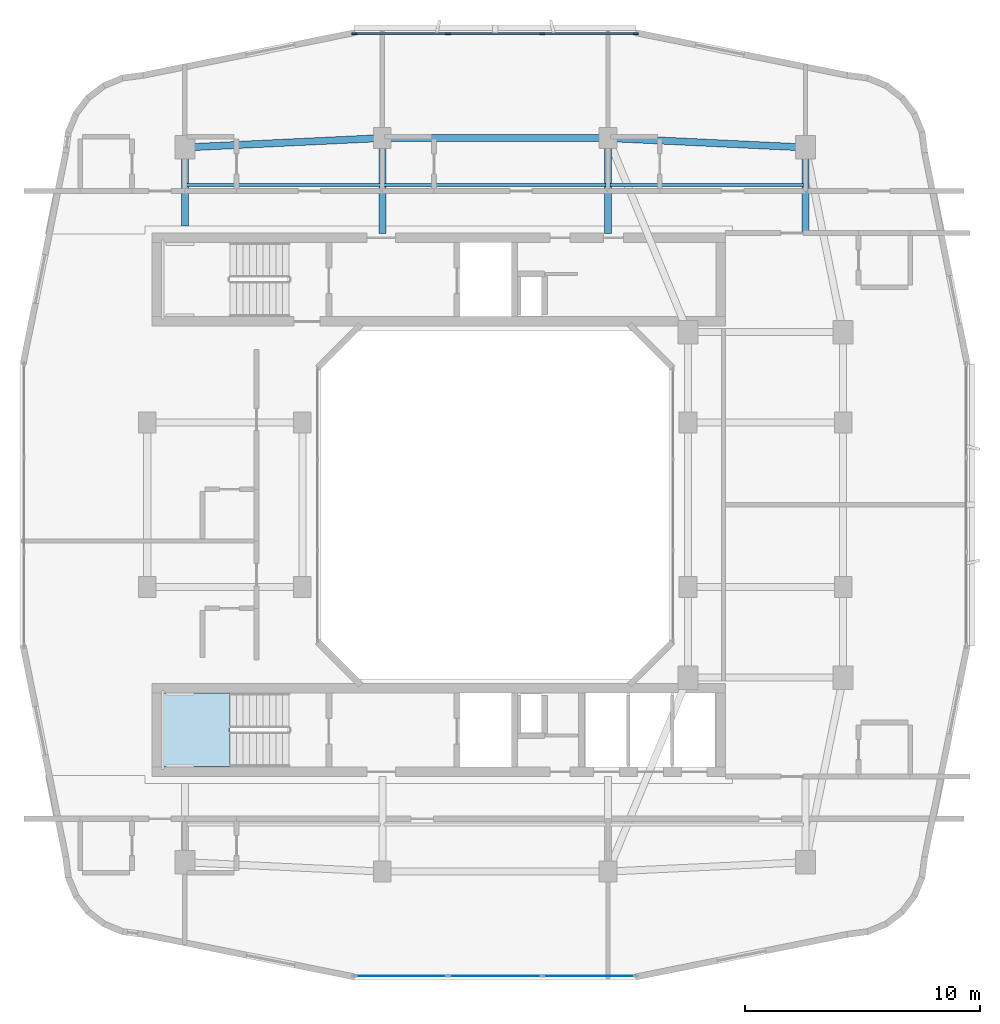
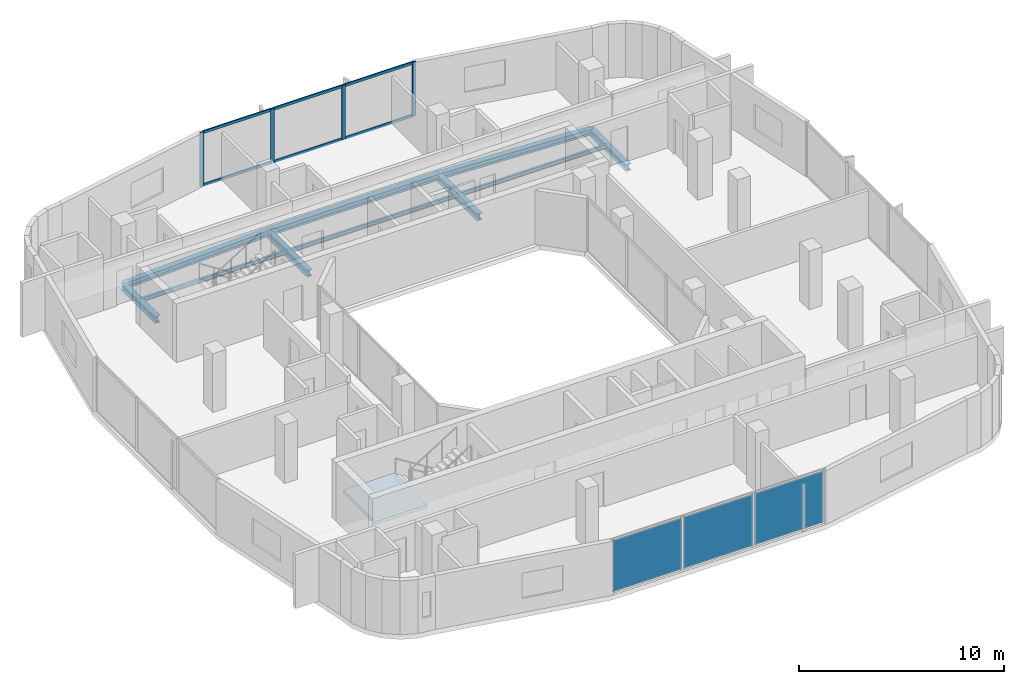
# One storey, part 5 of 14: 10 beams, 10 members, 3 plates, 1 slab, 3 elements without a shape of their own.
"""IFC4 building model written with IfcOpenShell, lengths in metres."""

from ifc_helpers import new_model, si_unit, derived_unit, direction, frame, origin, origin_2d, place, context, subcontext, project, spatial, polyline, rectangle, i_section, outline, extrude, material, layer, layer_set, material_profile, profile_set, type_object, element, aggregate, save


model = new_model("IFC4")

# Units and contexts
model_context = context("Model", 3, precision=1e-05, world=origin(), true_north=direction((0.0, 1.0)))
body_context = subcontext(model_context, "Body", "Model", "MODEL_VIEW")
ifc_project = project(units=[si_unit("LENGTHUNIT", "METRE"), si_unit("AREAUNIT", "SQUARE_METRE"), si_unit("VOLUMEUNIT", "CUBIC_METRE"), si_unit("PLANEANGLEUNIT", "RADIAN"), si_unit("MASSUNIT", "GRAM", prefix="KILO"), derived_unit("THERMALTRANSMITTANCEUNIT", [(si_unit("POWERUNIT", "WATT"), 1), (si_unit("LENGTHUNIT", "METRE"), -2), (si_unit("THERMODYNAMICTEMPERATUREUNIT", "KELVIN"), -1)])], contexts=[model_context])

# Site, building, storey
site_placement = place(None, origin())
site = spatial("IfcSite", under=ifc_project, at=site_placement, CompositionType="ELEMENT")
building_placement = place(site_placement, origin())
building = spatial("IfcBuilding", under=site, at=building_placement, Name="Kivonza Crest Hotel", CompositionType="ELEMENT")
storey_placement = place(building_placement, frame((0.0, 0.0, 152.0)))
storey = spatial("IfcBuildingStorey", under=building, at=storey_placement, Name="L41", CompositionType="ELEMENT", Elevation=152.0)

# Beams
ifc_material_1 = material(Name="Steel S355", Category="steel")
ifc_material_profile_1 = material_profile(ifc_material_1, i_section(OverallWidth=0.300048828125, OverallDepth=0.360107421875, WebThickness=0.012451171875, FlangeThickness=0.0224609375, FilletRadius=0.027099609375, at=origin_2d()), Name="HEB 360")
ifc_profile_set_1 = profile_set([ifc_material_profile_1], Name="Steel S355")
beam_type_1 = type_object("IfcBeamType", Name="BM-HEB360", PredefinedType="SPANDREL", material=ifc_profile_set_1)
beam_1_placement = place(storey_placement, frame((34.199951171875, 40.199951171875, -0.4599609375), z_axis=(-0.998867283688, 0.047583080799, 0.0), x_axis=(-0.047583080799, -0.998867283688, 0.0)))
element("IfcBeam", 1, at=beam_1_placement, inside=storey, type_object=beam_type_1, Name="Tower T1 L41 perimeter spandrel NE-N2", PredefinedType="SPANDREL", context=body_context, shape_type="SweptSolid", body=[
    extrude(i_section(OverallWidth=0.300048828125, OverallDepth=0.360107421875, WebThickness=0.012451171875, FlangeThickness=0.0224609375, FilletRadius=0.027099609375, at=origin_2d()), origin(), (0.0, 0.0, 1.0), 8.409423828125),
])
beam_2_placement = place(storey_placement, frame((25.800048828125, 40.60009765625, -0.4599609375), z_axis=(-1.0, 0.0, 0.0), x_axis=(0.0, -1.0, 0.0)))
element("IfcBeam", 2, at=beam_2_placement, inside=storey, type_object=beam_type_1, Name="Tower T1 L41 perimeter spandrel N2-N1", PredefinedType="SPANDREL", context=body_context, shape_type="SweptSolid", body=[
    extrude(i_section(OverallWidth=0.300048828125, OverallDepth=0.360107421875, WebThickness=0.012451171875, FlangeThickness=0.0224609375, FilletRadius=0.027099609375, at=origin_2d()), origin(), (0.0, 0.0, 1.0), 9.60009765625),
])
beam_3_placement = place(storey_placement, frame((16.199951171875, 40.60009765625, -0.4599609375), z_axis=(-0.998867283688, -0.047583080799, 0.0), x_axis=(0.047583080799, -0.998867283688, 0.0)))
element("IfcBeam", 3, at=beam_3_placement, inside=storey, type_object=beam_type_1, Name="Tower T1 L41 perimeter spandrel N1-NW", PredefinedType="SPANDREL", context=body_context, shape_type="SweptSolid", body=[
    extrude(i_section(OverallWidth=0.300048828125, OverallDepth=0.360107421875, WebThickness=0.012451171875, FlangeThickness=0.0224609375, FilletRadius=0.027099609375, at=origin_2d()), origin(), (0.0, 0.0, 1.0), 8.409423828125),
])
ifc_material_profile_2 = material_profile(ifc_material_1, i_section(OverallWidth=0.300048828125, OverallDepth=0.39990234375, WebThickness=0.013427734375, FlangeThickness=0.02392578125, FilletRadius=0.027099609375, at=origin_2d()), Name="HEB 400")
ifc_profile_set_2 = profile_set([ifc_material_profile_2], Name="Steel S355")
beam_type_2 = type_object("IfcBeamType", Name="BM-HEB400", PredefinedType="BEAM", material=ifc_profile_set_2)
beam_4_placement = place(storey_placement, frame((7.800048828125, 40.199951171875, -0.47998046875), z_axis=(0.0, -1.0, 0.0), x_axis=(1.0, 0.0, 0.0)))
element("IfcBeam", 4, at=beam_4_placement, inside=storey, type_object=beam_type_2, Name="Tower T1 L41 radial core girder RNW", PredefinedType="BEAM", context=body_context, shape_type="SweptSolid", body=[
    extrude(i_section(OverallWidth=0.300048828125, OverallDepth=0.39990234375, WebThickness=0.013427734375, FlangeThickness=0.02392578125, FilletRadius=0.027099609375, at=origin_2d()), origin(), (0.0, 0.0, 1.0), 3.349853515625),
])
for number, where, z_axis, x_axis, name in (
    (5, (16.199951171875, 40.60009765625, -0.47998046875), (0.0, -1.0, 0.0), (1.0, 0.0, 0.0), "Tower T1 L41 radial core girder RN1"),
    (6, (25.800048828125, 40.60009765625, -0.47998046875), (0.0, -1.0, 0.0), (1.0, 0.0, 0.0), "Tower T1 L41 radial core girder RN2"),
):
    element("IfcBeam", number, at=place(storey_placement, frame(where, z_axis=z_axis, x_axis=x_axis)), inside=storey, type_object=beam_type_2, Name=name, PredefinedType="BEAM", context=body_context, shape_type="SweptSolid", body=[
        extrude(i_section(OverallWidth=0.300048828125, OverallDepth=0.39990234375, WebThickness=0.013427734375, FlangeThickness=0.02392578125, FilletRadius=0.027099609375, at=origin_2d()), origin(), (0.0, 0.0, 1.0), 4.050048828125),
    ])
beam_5_placement = place(storey_placement, frame((34.199951171875, 40.199951171875, -0.47998046875), z_axis=(0.0, -1.0, 0.0), x_axis=(1.0, 0.0, 0.0)))
element("IfcBeam", 7, at=beam_5_placement, inside=storey, type_object=beam_type_2, Name="Tower T1 L41 radial core girder RNE", PredefinedType="BEAM", context=body_context, shape_type="SweptSolid", body=[
    extrude(i_section(OverallWidth=0.300048828125, OverallDepth=0.39990234375, WebThickness=0.013427734375, FlangeThickness=0.02392578125, FilletRadius=0.027099609375, at=origin_2d()), origin(), (0.0, 0.0, 1.0), 3.64990234375),
])
ifc_material_profile_3 = material_profile(ifc_material_1, i_section(OverallWidth=0.1201171875, OverallDepth=0.239990234375, WebThickness=0.006103515625, FlangeThickness=0.009765625, FilletRadius=0.014892578125, at=origin_2d()), Name="IPE 240")
ifc_profile_set_3 = profile_set([ifc_material_profile_3], Name="Steel S355")
beam_type_3 = type_object("IfcBeamType", Name="BM-IPE240", PredefinedType="JOIST", material=ifc_profile_set_3)
beam_6_placement = place(storey_placement, frame((7.8798828125, 38.60009765625, -0.39990234375), z_axis=(1.0, 0.0, 0.0), x_axis=(0.0, 1.0, 0.0)))
element("IfcBeam", 8, at=beam_6_placement, inside=storey, type_object=beam_type_3, Name="Tower T1 L41 North-West floor joist", PredefinedType="JOIST", context=body_context, shape_type="SweptSolid", body=[
    extrude(i_section(OverallWidth=0.1201171875, OverallDepth=0.239990234375, WebThickness=0.006103515625, FlangeThickness=0.009765625, FilletRadius=0.014892578125, at=origin_2d()), origin(), (0.0, 0.0, 1.0), 8.240234375),
])
beam_7_placement = place(storey_placement, frame((16.280029296875, 38.60009765625, -0.39990234375), z_axis=(1.0, 0.0, 0.0), x_axis=(0.0, 1.0, 0.0)))
element("IfcBeam", 9, at=beam_7_placement, inside=storey, type_object=beam_type_3, Name="Tower T1 L41 North-Mid floor joist", PredefinedType="JOIST", context=body_context, shape_type="SweptSolid", body=[
    extrude(i_section(OverallWidth=0.1201171875, OverallDepth=0.239990234375, WebThickness=0.006103515625, FlangeThickness=0.009765625, FilletRadius=0.014892578125, at=origin_2d()), origin(), (0.0, 0.0, 1.0), 9.43994140625),
])
beam_8_placement = place(storey_placement, frame((25.8798828125, 38.60009765625, -0.39990234375), z_axis=(1.0, 0.0, 0.0), x_axis=(0.0, 1.0, 0.0)))
element("IfcBeam", 10, at=beam_8_placement, inside=storey, type_object=beam_type_3, Name="Tower T1 L41 North-East floor joist", PredefinedType="JOIST", context=body_context, shape_type="SweptSolid", body=[
    extrude(i_section(OverallWidth=0.1201171875, OverallDepth=0.239990234375, WebThickness=0.006103515625, FlangeThickness=0.009765625, FilletRadius=0.014892578125, at=origin_2d()), origin(), (0.0, 0.0, 1.0), 8.240234375),
])

# Curtain wall, members
ifc_material_2 = material(Name="Anodised bronze aluminium and low-E double glazing", Category="aluminium")
ifc_layer_1 = layer(ifc_material_2, 0.179931640625)
ifc_layer_set_1 = layer_set([ifc_layer_1], Name="Anodised bronze aluminium and low-E double glazing")
curtain_wall_type = type_object("IfcCurtainWallType", Name="CW-SYS-3", PredefinedType="NOTDEFINED", material=ifc_layer_set_1)
curtain_wall_1_placement = place(storey_placement, origin())
curtain_wall_1 = element("IfcCurtainWall", 11, at=curtain_wall_1_placement, inside=storey, type_object=curtain_wall_type, Name="L41 unitised curtain wall CW-T1-L41-26", PredefinedType="NOTDEFINED")
ifc_material_3 = material(Name="Anodised bronze aluminium", Category="aluminium")
ifc_material_profile_4 = material_profile(ifc_material_3, rectangle(XDim=0.074951171875, YDim=0.219970703125, at=origin_2d()), Name="CW-M 75x220")
ifc_profile_set_4 = profile_set([ifc_material_profile_4], Name="Anodised bronze aluminium")
member_type_1 = type_object("IfcMemberType", Name="CW-MUL-75x220", PredefinedType="MULLION", material=ifc_profile_set_4)
member_1_placement = place(storey_placement, frame((26.982421875, 45.0400390625, 0.0), z_axis=(0.0, 0.0, 1.0), x_axis=(0.0, -1.0, 0.0)))
member_1 = element("IfcMember", 12, at=member_1_placement, type_object=member_type_1, Name="CW-3 mullion 1", PredefinedType="MULLION", context=body_context, shape_type="SweptSolid", body=[
    extrude(rectangle(XDim=0.074951171875, YDim=0.219970703125, at=origin_2d()), origin(), (0.0, 0.0, 1.0), 3.219970703125),
])
member_2_placement = place(storey_placement, frame((23.006591796875, 45.0400390625, 0.0), z_axis=(0.0, 0.0, 1.0), x_axis=(0.0, -1.0, 0.0)))
member_2 = element("IfcMember", 13, at=member_2_placement, type_object=member_type_1, Name="CW-3 mullion 2", PredefinedType="MULLION", context=body_context, shape_type="SweptSolid", body=[
    extrude(rectangle(XDim=0.074951171875, YDim=0.219970703125, at=origin_2d()), origin(), (0.0, 0.0, 1.0), 3.219970703125),
])
member_3_placement = place(storey_placement, frame((18.993408203125, 45.0400390625, 0.0), z_axis=(0.0, 0.0, 1.0), x_axis=(0.0, -1.0, 0.0)))
member_3 = element("IfcMember", 14, at=member_3_placement, type_object=member_type_1, Name="CW-3 mullion 3", PredefinedType="MULLION", context=body_context, shape_type="SweptSolid", body=[
    extrude(rectangle(XDim=0.074951171875, YDim=0.219970703125, at=origin_2d()), origin(), (0.0, 0.0, 1.0), 3.219970703125),
])
member_4_placement = place(storey_placement, frame((15.017578125, 45.0400390625, 0.0), z_axis=(0.0, 0.0, 1.0), x_axis=(0.0, -1.0, 0.0)))
member_4 = element("IfcMember", 15, at=member_4_placement, type_object=member_type_1, Name="CW-3 mullion 4", PredefinedType="MULLION", context=body_context, shape_type="SweptSolid", body=[
    extrude(rectangle(XDim=0.074951171875, YDim=0.219970703125, at=origin_2d()), origin(), (0.0, 0.0, 1.0), 3.219970703125),
])
ifc_material_profile_5 = material_profile(ifc_material_3, rectangle(XDim=0.074951171875, YDim=0.159912109375, at=origin_2d()), Name="CW-T 75x160")
ifc_profile_set_5 = profile_set([ifc_material_profile_5], Name="Anodised bronze aluminium")
member_type_2 = type_object("IfcMemberType", Name="CW-TRN-75x160", PredefinedType="USERDEFINED", material=ifc_profile_set_5)
member_5_placement = place(storey_placement, frame((26.945068359375, 45.0400390625, 0.03759765625), z_axis=(-1.0, 0.0, 0.0), x_axis=(0.0, -1.0, 0.0)))
member_5 = element("IfcMember", 16, at=member_5_placement, type_object=member_type_2, Name="CW-3 transom 1.1", ObjectType="TRANSOM", PredefinedType="USERDEFINED", context=body_context, shape_type="SweptSolid", body=[
    extrude(rectangle(XDim=0.074951171875, YDim=0.159912109375, at=origin_2d()), origin(), (0.0, 0.0, 1.0), 3.90087890625),
])
member_6_placement = place(storey_placement, frame((26.945068359375, 45.0400390625, 3.1826171875), z_axis=(-1.0, 0.0, 0.0), x_axis=(0.0, -1.0, 0.0)))
member_6 = element("IfcMember", 17, at=member_6_placement, type_object=member_type_2, Name="CW-3 transom 1.2", ObjectType="TRANSOM", PredefinedType="USERDEFINED", context=body_context, shape_type="SweptSolid", body=[
    extrude(rectangle(XDim=0.074951171875, YDim=0.159912109375, at=origin_2d()), origin(), (0.0, 0.0, 1.0), 3.90087890625),
])
member_7_placement = place(storey_placement, frame((22.96923828125, 45.0400390625, 0.03759765625), z_axis=(-1.0, 0.0, 0.0), x_axis=(0.0, -1.0, 0.0)))
member_7 = element("IfcMember", 18, at=member_7_placement, type_object=member_type_2, Name="CW-3 transom 2.1", ObjectType="TRANSOM", PredefinedType="USERDEFINED", context=body_context, shape_type="SweptSolid", body=[
    extrude(rectangle(XDim=0.074951171875, YDim=0.159912109375, at=origin_2d()), origin(), (0.0, 0.0, 1.0), 3.9384765625),
])
member_8_placement = place(storey_placement, frame((22.96923828125, 45.0400390625, 3.1826171875), z_axis=(-1.0, 0.0, 0.0), x_axis=(0.0, -1.0, 0.0)))
member_8 = element("IfcMember", 19, at=member_8_placement, type_object=member_type_2, Name="CW-3 transom 2.2", ObjectType="TRANSOM", PredefinedType="USERDEFINED", context=body_context, shape_type="SweptSolid", body=[
    extrude(rectangle(XDim=0.074951171875, YDim=0.159912109375, at=origin_2d()), origin(), (0.0, 0.0, 1.0), 3.9384765625),
])
member_9_placement = place(storey_placement, frame((18.955810546875, 45.0400390625, 0.03759765625), z_axis=(-1.0, 0.0, 0.0), x_axis=(0.0, -1.0, 0.0)))
member_9 = element("IfcMember", 20, at=member_9_placement, type_object=member_type_2, Name="CW-3 transom 3.1", ObjectType="TRANSOM", PredefinedType="USERDEFINED", context=body_context, shape_type="SweptSolid", body=[
    extrude(rectangle(XDim=0.074951171875, YDim=0.159912109375, at=origin_2d()), origin(), (0.0, 0.0, 1.0), 3.90087890625),
])
member_10_placement = place(storey_placement, frame((18.955810546875, 45.0400390625, 3.1826171875), z_axis=(-1.0, 0.0, 0.0), x_axis=(0.0, -1.0, 0.0)))
member_10 = element("IfcMember", 21, at=member_10_placement, type_object=member_type_2, Name="CW-3 transom 3.2", ObjectType="TRANSOM", PredefinedType="USERDEFINED", context=body_context, shape_type="SweptSolid", body=[
    extrude(rectangle(XDim=0.074951171875, YDim=0.159912109375, at=origin_2d()), origin(), (0.0, 0.0, 1.0), 3.90087890625),
])
aggregate(curtain_wall_1, [member_1, member_2, member_3, member_4, member_5, member_6, member_7, member_8, member_9, member_10])

# Curtain wall, plates
curtain_wall_2_placement = place(storey_placement, origin())
curtain_wall_2 = element("IfcCurtainWall", 22, at=curtain_wall_2_placement, inside=storey, type_object=curtain_wall_type, Name="L41 unitised curtain wall CW-T1-L41-08", PredefinedType="NOTDEFINED")
ifc_material_4 = material(Name="Acoustic triple-laminated low-E glazing", Category="glass")
ifc_layer_2 = layer(ifc_material_4, 0.035888671875)
ifc_layer_set_2 = layer_set([ifc_layer_2], Name="Acoustic triple-laminated low-E glazing")
plate_type = type_object("IfcPlateType", Name="CW-PNL-36", PredefinedType="CURTAIN_PANEL", material=ifc_layer_set_2)
plate_1_placement = place(storey_placement, frame((17.00537109375, 4.9599609375, 0.0751953125), z_axis=(0.0, 0.0, 1.0), x_axis=(1.0, 0.0, 0.0)))
plate_1 = element("IfcPlate", 23, at=plate_1_placement, type_object=plate_type, Name="CW-3 panel 1.1", PredefinedType="CURTAIN_PANEL", context=body_context, shape_type="SweptSolid", body=[
    extrude(rectangle(XDim=3.90087890625, YDim=0.035888671875, at=origin_2d()), origin(), (0.0, 0.0, 1.0), 3.070068359375),
])
plate_2_placement = place(storey_placement, frame((21.0, 4.9599609375, 0.0751953125), z_axis=(0.0, 0.0, 1.0), x_axis=(1.0, 0.0, 0.0)))
plate_2 = element("IfcPlate", 24, at=plate_2_placement, type_object=plate_type, Name="CW-3 panel 2.1", PredefinedType="CURTAIN_PANEL", context=body_context, shape_type="SweptSolid", body=[
    extrude(rectangle(XDim=3.938232421875, YDim=0.035888671875, at=origin_2d()), origin(), (0.0, 0.0, 1.0), 3.070068359375),
])
plate_3_placement = place(storey_placement, frame((24.99462890625, 4.9599609375, 0.0751953125), z_axis=(0.0, 0.0, 1.0), x_axis=(1.0, 0.0, 0.0)))
plate_3 = element("IfcPlate", 25, at=plate_3_placement, type_object=plate_type, Name="CW-3 panel 3.1", PredefinedType="CURTAIN_PANEL", context=body_context, shape_type="SweptSolid", body=[
    extrude(rectangle(XDim=3.90087890625, YDim=0.035888671875, at=origin_2d()), origin(), (0.0, 0.0, 1.0), 3.070068359375),
])
aggregate(curtain_wall_2, [plate_1, plate_2, plate_3])

# Stair, slab
ifc_material_5 = material(Name="Concrete C40/50", Category="concrete")
stair_type = type_object("IfcStairType", Name="ST-DL-20R", PredefinedType="HALF_TURN_STAIR", material=ifc_material_5)
stair_placement = place(storey_placement, origin())
stair = element("IfcStair", 26, at=stair_placement, inside=storey, type_object=stair_type, Name="L41 Protected Exit Stair ST-T1-S", PredefinedType="HALF_TURN_STAIR")
ifc_layer_3 = layer(ifc_material_5, 0.199951171875)
ifc_layer_set_3 = layer_set([ifc_layer_3], Name="Concrete C40/50")
slab_type = type_object("IfcSlabType", Name="SL-LAND-200", PredefinedType="LANDING", material=ifc_layer_set_3)
slab_placement = place(storey_placement, frame((0.0, 0.0, 1.550048828125)))
slab = element("IfcSlab", 27, at=slab_placement, type_object=slab_type, Name="ST-T1-S landing 1", PredefinedType="LANDING", context=body_context, shape_type="SweptSolid", body=[
    extrude(outline(polyline([(9.719970703125, 17.0), (6.800048828125, 17.0), (6.800048828125, 13.860107421875), (9.719970703125, 13.860107421875), (9.719970703125, 17.0)])), origin(), (0.0, 0.0, 1.0), 0.199951171875),
])
aggregate(stair, [slab])

save(model, "model.ifc")
